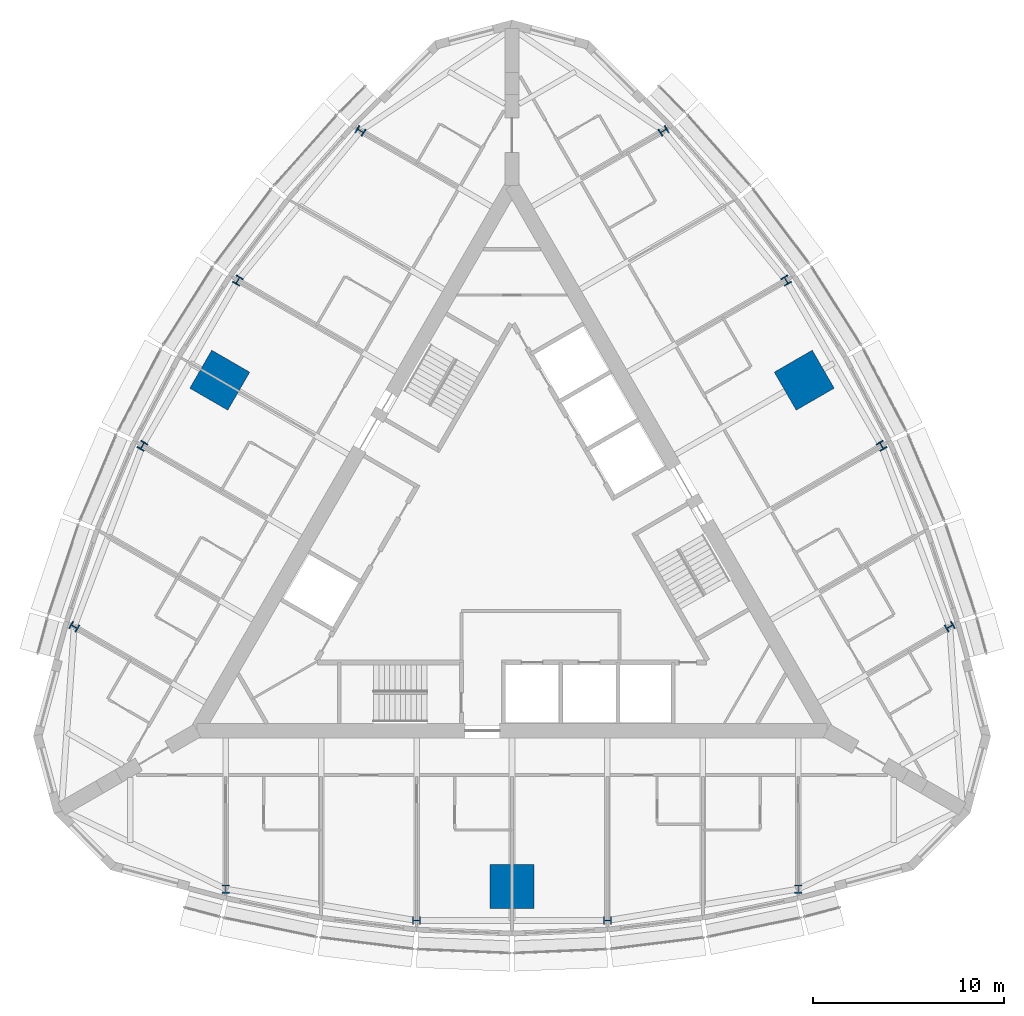
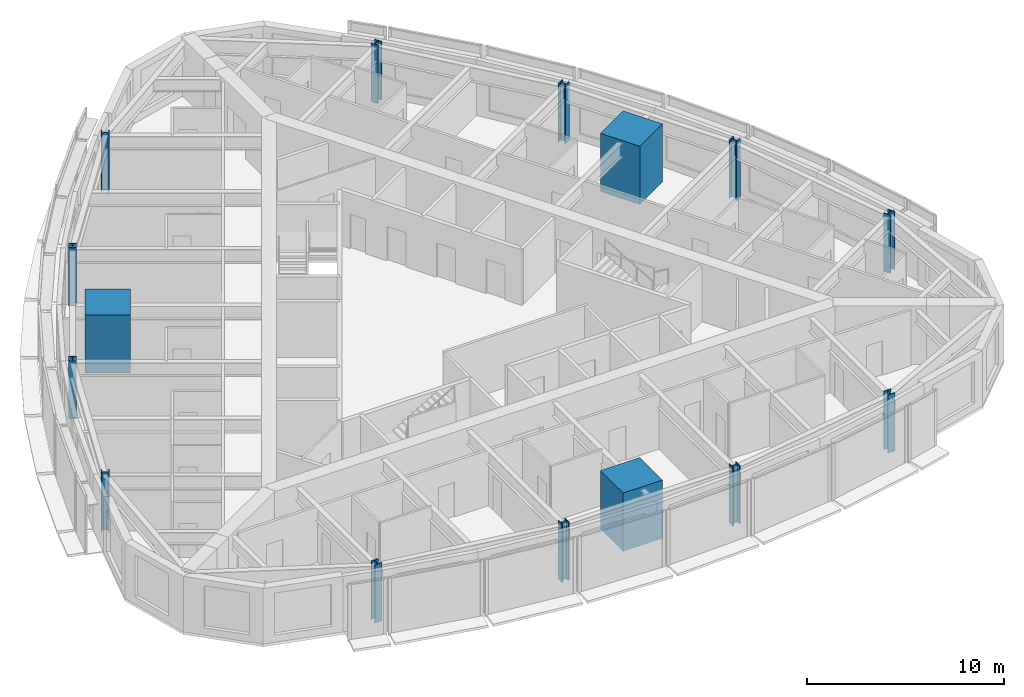
# One storey, part 1 of 15: 15 columns.
"""IFC4 building model written with IfcOpenShell, lengths in metres."""

from ifc_helpers import new_model, si_unit, direction, frame, origin, origin_2d, place, context, subcontext, project, spatial, rectangle, i_section, extrude, material, material_profile, profile_set, type_object, element, save


model = new_model("IFC4")

# Units and contexts
model_context = context("Model", 3, precision=1e-05, world=origin(), true_north=direction((0.0, 1.0)))
body_context = subcontext(model_context, "Body", "Model", "MODEL_VIEW")
ifc_project = project(units=[si_unit("LENGTHUNIT", "METRE"), si_unit("AREAUNIT", "SQUARE_METRE"), si_unit("VOLUMEUNIT", "CUBIC_METRE"), si_unit("PLANEANGLEUNIT", "RADIAN"), si_unit("MASSUNIT", "GRAM", prefix="KILO")], contexts=[model_context])

# Site, building, storey
site_placement = place(None, origin())
site = spatial("IfcSite", under=ifc_project, at=site_placement, CompositionType="ELEMENT")
building_placement = place(site_placement, origin())
building = spatial("IfcBuilding", under=site, at=building_placement, Name="Trikona Tower", CompositionType="ELEMENT")
storey_placement = place(building_placement, frame((0.0, 0.0, 211.699951171875)))
storey = spatial("IfcBuildingStorey", under=building, at=storey_placement, Name="L56", CompositionType="ELEMENT", Elevation=211.699951171875)

# Columns
ifc_material_1 = material(Name="Concrete f'c 10000 psi with encased steel section", Category="concrete")
ifc_material_profile_1 = material_profile(ifc_material_1, rectangle(XDim=2.300048828125, YDim=2.300048828125, at=origin_2d()), Name="MC2300")
ifc_profile_set_1 = profile_set([ifc_material_profile_1], Name="Concrete f'c 10000 psi with encased steel section")
column_type_1 = type_object("IfcColumnType", Name="Composite mega column 2300x2300", PredefinedType="COLUMN", material=ifc_profile_set_1)
for number, where, z_axis, x_axis, name in (
    (1, (0.0, -17.680419921875, 0.0), (0.0, 0.0, 1.0), (0.0, -1.0, 0.0), "Mega column MC1"),
    (2, (15.311767578125, 8.84033203125, 0.0), (0.0, 0.0, 1.0), (0.866025403784, 0.5, 0.0), "Mega column MC2"),
    (3, (-15.311767578125, 8.84033203125, 0.0), (0.0, 0.0, 1.0), (-0.866025403784, 0.5, 0.0), "Mega column MC3"),
):
    element("IfcColumn", number, at=place(storey_placement, frame(where, z_axis=z_axis, x_axis=x_axis)), inside=storey, type_object=column_type_1, Name=name, PredefinedType="COLUMN", context=body_context, shape_type="SweptSolid", body=[
        extrude(rectangle(XDim=2.300048828125, YDim=2.300048828125, at=origin_2d()), origin(), (0.0, 0.0, 1.0), 3.60009765625),
    ])
ifc_material_2 = material(Name="Steel ASTM A992 Grade 50", Category="steel")
ifc_material_profile_2 = material_profile(ifc_material_2, i_section(OverallWidth=0.411376953125, OverallDepth=0.434326171875, WebThickness=0.035888671875, FlangeThickness=0.057373046875, at=origin_2d()), Name="W14X311")
ifc_profile_set_2 = profile_set([ifc_material_profile_2], Name="Steel ASTM A992 Grade 50")
column_type_2 = type_object("IfcColumnType", Name="Steel column W14x311", PredefinedType="COLUMN", material=ifc_profile_set_2)
for number, where, z_axis, x_axis, name in (
    (4, (-15.0, -17.824951171875, 0.0), (0.0, 0.0, 1.0), (1.0, 0.0, 0.0), "Column F0m15"),
    (5, (-5.0, -19.471923828125, 0.0), (0.0, 0.0, 1.0), (0.0, -1.0, 0.0), "Column F0m5"),
    (6, (5.0, -19.471923828125, 0.0), (0.0, 0.0, 1.0), (0.0, -1.0, 0.0), "Column F0p5"),
    (7, (15.0, -17.824951171875, 0.0), (0.0, 0.0, 1.0), (1.0, 0.0, 0.0), "Column F0p15"),
    (8, (22.936767578125, -4.077880859375, 0.0), (0.0, 0.0, 1.0), (-0.5, 0.866025403784, 0.0), "Column F1m15"),
    (9, (19.36328125, 5.406005859375, 0.0), (0.0, 0.0, 1.0), (0.866025403784, 0.5, 0.0), "Column F1m5"),
    (10, (14.36328125, 14.066162109375, 0.0), (0.0, 0.0, 1.0), (0.866025403784, 0.5, 0.0), "Column F1p5"),
    (11, (7.936767578125, 21.90283203125, 0.0), (0.0, 0.0, 1.0), (-0.5, 0.866025403784, 0.0), "Column F1p15"),
    (12, (-7.936767578125, 21.90283203125, 0.0), (0.0, 0.0, 1.0), (-0.5, -0.866025403784, 0.0), "Column F2m15"),
    (13, (-14.36328125, 14.066162109375, 0.0), (0.0, 0.0, 1.0), (-0.866025403784, 0.5, 0.0), "Column F2m5"),
    (14, (-19.36328125, 5.406005859375, 0.0), (0.0, 0.0, 1.0), (-0.866025403784, 0.5, 0.0), "Column F2p5"),
    (15, (-22.936767578125, -4.077880859375, 0.0), (0.0, 0.0, 1.0), (-0.5, -0.866025403784, 0.0), "Column F2p15"),
):
    element("IfcColumn", number, at=place(storey_placement, frame(where, z_axis=z_axis, x_axis=x_axis)), inside=storey, type_object=column_type_2, Name=name, PredefinedType="COLUMN", context=body_context, shape_type="SweptSolid", body=[
        extrude(i_section(OverallWidth=0.411376953125, OverallDepth=0.434326171875, WebThickness=0.035888671875, FlangeThickness=0.057373046875, at=origin_2d()), origin(), (0.0, 0.0, 1.0), 3.60009765625),
    ])

save(model, "model.ifc")
